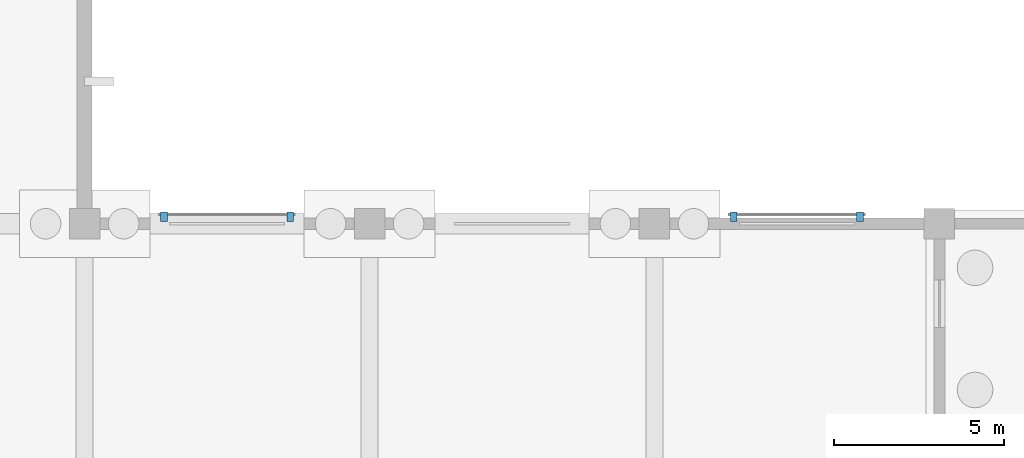
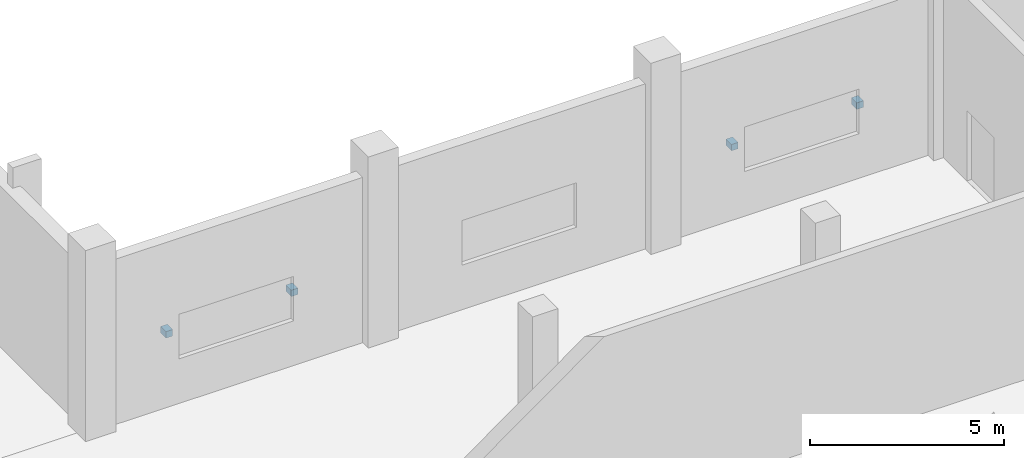
# One storey, part 69 of 72: 4 discrete accessories.
"""IFC4 building model written with IfcOpenShell, lengths in metres."""

from ifc_helpers import new_model, si_unit, direction, frame, origin, origin_2d, place, context, subcontext, project, spatial, rectangle, extrude, material, type_object, element, save


model = new_model("IFC4")

# Units and contexts
model_context = context("Model", 3, precision=1e-05, world=origin(), true_north=direction((0.0, 1.0)))
body_context = subcontext(model_context, "Body", "Model", "MODEL_VIEW")
ifc_project = project(units=[si_unit("LENGTHUNIT", "METRE"), si_unit("AREAUNIT", "SQUARE_METRE"), si_unit("VOLUMEUNIT", "CUBIC_METRE"), si_unit("PLANEANGLEUNIT", "RADIAN"), si_unit("MASSUNIT", "GRAM", prefix="KILO")], contexts=[model_context])

# Site, building, storey
site_placement = place(None, origin())
site = spatial("IfcSite", under=ifc_project, at=site_placement, CompositionType="ELEMENT")
building_placement = place(site_placement, origin())
building = spatial("IfcBuilding", under=site, at=building_placement, Name="Qawsi Khor Wholesale Market", CompositionType="ELEMENT")
storey_placement = place(building_placement, origin())
storey = spatial("IfcBuildingStorey", under=building, at=storey_placement, Name="L00", CompositionType="ELEMENT", Elevation=0.0)

# Discrete accessories
ifc_material = material(Name="Steel S355", Category="steel")
discrete_accessory_type = type_object("IfcDiscreteAccessoryType", Name="Screen Fixing Bracket Steel S355", PredefinedType="BRACKET", material=ifc_material)
for number, where, z_axis, x_axis, name in (
    (1, (187.139892578125, 109.405029296875, 2.0), (0.0, 0.0, 1.0), (1.0, 0.0, 0.0), "Screen bracket 090-1"),
    (2, (190.860107421875, 109.405029296875, 2.0), (0.0, 0.0, 1.0), (1.0, 0.0, 0.0), "Screen bracket 090-2"),
    (3, (203.93994140625, 109.405029296875, 2.0), (0.0, 0.0, 1.0), (1.0, 0.0, 0.0), "Screen bracket 091-1"),
    (4, (207.659912109375, 109.405029296875, 2.0), (0.0, 0.0, 1.0), (1.0, 0.0, 0.0), "Screen bracket 091-2"),
):
    element("IfcDiscreteAccessory", number, at=place(storey_placement, frame(where, z_axis=z_axis, x_axis=x_axis)), inside=storey, type_object=discrete_accessory_type, Name=name, PredefinedType="BRACKET", context=body_context, shape_type="SweptSolid", body=[
        extrude(rectangle(XDim=0.199951171875, YDim=0.280029296875, at=origin_2d()), origin(), (0.0, 0.0, 1.0), 0.199951171875),
    ])

save(model, "model.ifc")
